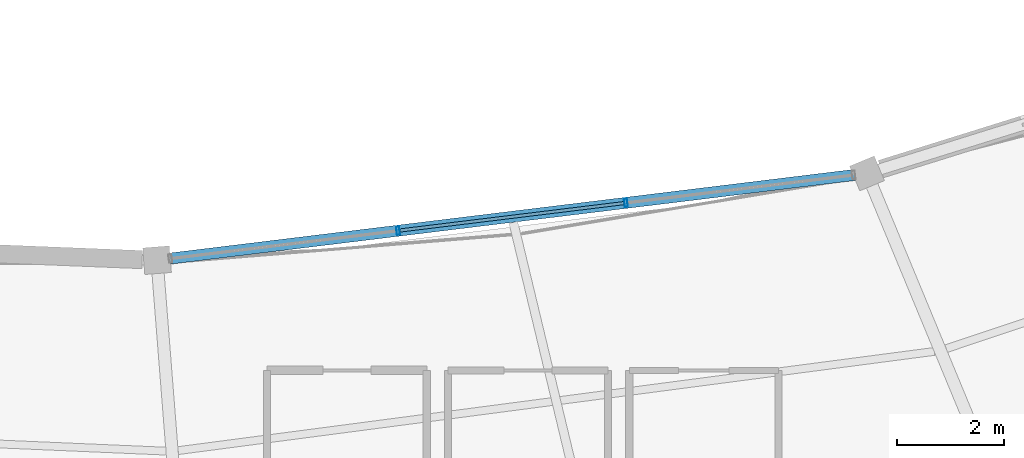
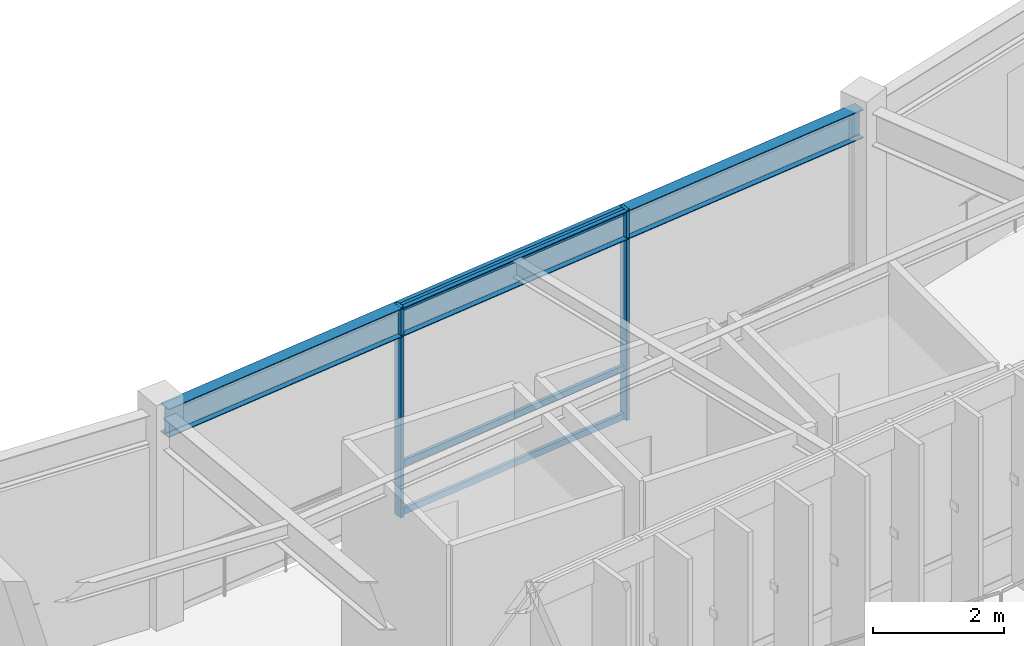
# One storey, part 21 of 79: 5 members, 1 beam, 1 element without a shape of its own.
"""IFC4 building model written with IfcOpenShell, lengths in metres."""

import ifcopenshell
import ifcopenshell.guid

model = None  # the IFC model being written
_history = None  # IfcOwnerHistory: only IFC2X3 demands one
_inside = {}  # id of a spatial element -> (the spatial element, [elements in it])
_under = {}  # id of a project, library or spatial element -> (it, [spatial elements below it])
_declared = {}  # id of a project -> (the project, [libraries it declares])
_typed = {}  # id of a type object -> (the type object, [elements of that type])
_made_of = {}  # id of a material, layer set ... -> (it, [elements and type objects made of it])


def new_model(schema):
    """Start an empty IFC model of exactly this schema.

    Asked for "IFC4X3", IfcOpenShell would pick the latest addendum, in which some entities
    have other attributes; the version numbers below select the first issue.
    IFC2X3 requires an IfcOwnerHistory on every rooted entity: one is made here for all.
    """
    global model, _history
    if schema == "IFC4X3":
        model = ifcopenshell.file(schema_version=(4, 3, 0, 0))
    else:
        model = ifcopenshell.file(schema=schema)
    _inside.clear()
    _under.clear()
    _declared.clear()
    _typed.clear()
    _made_of.clear()
    _history = None
    if model.schema == "IFC2X3":
        org = make("IfcOrganization", Name="unknown")
        user = make(
            "IfcPersonAndOrganization",
            ThePerson=make("IfcPerson", FamilyName="unknown"),
            TheOrganization=org,
        )
        app = make(
            "IfcApplication",
            ApplicationDeveloper=org,
            Version="unknown",
            ApplicationFullName="unknown",
            ApplicationIdentifier="unknown",
        )
        _history = make(
            "IfcOwnerHistory",
            OwningUser=user,
            OwningApplication=app,
            ChangeAction="ADDED",
            CreationDate=0,
        )
    return model


def make(cls, **values):
    """One entity of the class cls with the attributes given. An attribute that is None is left unset."""
    return model.create_entity(
        cls, **{name: value for name, value in values.items() if value is not None}
    )


def rooted(cls, **values):
    """An entity with a GlobalId (a new one), such as an element, a storey or a relation."""
    return make(cls, GlobalId=ifcopenshell.guid.new(), OwnerHistory=_history, **values)


def si_unit(unit_type, name, prefix=None):
    """IfcSIUnit, for example si_unit("LENGTHUNIT", "METRE", prefix="MILLI")."""
    return make("IfcSIUnit", UnitType=unit_type, Prefix=prefix, Name=name)


def assignment(units):
    """IfcUnitAssignment: the units of a project."""
    return None if units is None else make("IfcUnitAssignment", Units=units)


def point(xyz):
    """IfcCartesianPoint."""
    return None if xyz is None else make("IfcCartesianPoint", Coordinates=xyz)


def direction(xyz):
    """IfcDirection."""
    return None if xyz is None else make("IfcDirection", DirectionRatios=xyz)


def frame(location, z_axis=None, x_axis=None):
    """IfcAxis2Placement3D, a coordinate frame: its origin and axes. An axis left out is left unset."""
    return make(
        "IfcAxis2Placement3D",
        Location=point(location),
        Axis=direction(z_axis),
        RefDirection=direction(x_axis),
    )


def frame_2d(location, x_axis=None):
    """IfcAxis2Placement2D, a coordinate frame in the plane: its origin and x axis."""
    return make(
        "IfcAxis2Placement2D", Location=point(location), RefDirection=direction(x_axis)
    )


def origin():
    """The frame at (0, 0, 0) with its axes left unset."""
    return frame((0.0, 0.0, 0.0))


def origin_2d():
    """The frame at (0, 0) in the plane with its x axis left unset."""
    return frame_2d((0.0, 0.0))


def place(relative_to, where):
    """IfcLocalPlacement: puts the frame where relative to a parent placement (None: the world)."""
    return make(
        "IfcLocalPlacement", PlacementRelTo=relative_to, RelativePlacement=where
    )


def context(
    kind, dimensions, precision=None, world=None, true_north=None, identifier=None
):
    """IfcGeometricRepresentationContext, for example the 3D "Model" context."""
    return make(
        "IfcGeometricRepresentationContext",
        ContextIdentifier=identifier,
        ContextType=kind,
        CoordinateSpaceDimension=dimensions,
        Precision=precision,
        WorldCoordinateSystem=world,
        TrueNorth=true_north,
    )


def subcontext(parent, identifier, kind, view, scale=None):
    """IfcGeometricRepresentationSubContext, for example "Body" below "Model"."""
    return make(
        "IfcGeometricRepresentationSubContext",
        ContextIdentifier=identifier,
        ContextType=kind,
        ParentContext=parent,
        TargetScale=scale,
        TargetView=view,
    )


def project(units=None, contexts=None):
    """IfcProject with its units and contexts."""
    return rooted(
        "IfcProject",
        Name="project",
        RepresentationContexts=contexts,
        UnitsInContext=assignment(units),
    )


def spatial(cls, under=None, at=None, **own):
    """A site, building, storey or space (cls), placed at a placement, below another one or the project."""
    s = rooted(cls, ObjectPlacement=at, **own)
    if under is not None:
        _under.setdefault(under.id(), (under, []))[1].append(s)
    return s


def profile(cls, at=None, kind="AREA", **sizes):
    """A parametric profile (cls). Its sizes go by their IFC names, for example OverallWidth=200.0."""
    return make(cls, ProfileType=kind, Position=at, **sizes)


def hollow_rectangle(**sizes):
    """IfcRectangleHollowProfileDef."""
    return profile("IfcRectangleHollowProfileDef", **sizes)


def i_section(**sizes):
    """IfcIShapeProfileDef."""
    return profile("IfcIShapeProfileDef", **sizes)


def extrude(swept, where, along, depth):
    """IfcExtrudedAreaSolid: the profile swept, set in the frame where, extruded along a direction by depth."""
    return make(
        "IfcExtrudedAreaSolid",
        SweptArea=swept,
        Position=where,
        ExtrudedDirection=direction(along),
        Depth=depth,
    )


def shape(context_of_items, identifier, shape_type, items):
    """IfcShapeRepresentation: the items that make up one representation, for example the "Body"."""
    return make(
        "IfcShapeRepresentation",
        ContextOfItems=context_of_items,
        RepresentationIdentifier=identifier,
        RepresentationType=shape_type,
        Items=items,
    )


def material(Name=None, Category=None):
    """IfcMaterial."""
    return make("IfcMaterial", Name=Name, Category=Category)


def material_profile(
    of_material, cross_section, Name=None, Category=None, Priority=None
):
    """IfcMaterialProfile: a cross section and its material."""
    return make(
        "IfcMaterialProfile",
        Name=Name,
        Material=of_material,
        Profile=cross_section,
        Priority=Priority,
        Category=Category,
    )


def profile_set(profiles, Name=None, composite=None):
    """IfcMaterialProfileSet."""
    return make(
        "IfcMaterialProfileSet",
        Name=Name,
        MaterialProfiles=profiles,
        CompositeProfile=composite,
    )


def made_of(thing, what):
    """Note that an element or type object is made of a material, layer set ...; save() writes the relation."""
    if what is not None:
        _made_of.setdefault(what.id(), (what, []))[1].append(thing)
    return thing


def type_object(cls, material=None, **own):
    """A type object (cls), such as IfcWallType, which elements share."""
    return made_of(rooted(cls, **own), material)


def element(
    cls,
    number,
    at=None,
    inside=None,
    cuts=None,
    type_object=None,
    material=None,
    context=None,
    identifier="Body",
    shape_type=None,
    held_by="IfcProductDefinitionShape",
    body=None,
    shapes=None,
    **own,
):
    """One element of the class cls, such as IfcWall. Its Tag is "e" and its number.

    at: its placement. inside: the storey or other place that contains it. cuts: it is an
    opening in that element (IfcRelVoidsElement). A single representation is given by context,
    identifier, shape_type and body (its items); several are given by shapes. held_by: the class
    of the entity that holds the representations. save() writes the other relations.
    """
    e = rooted(cls, Tag="e%d" % number, ObjectPlacement=at, **own)
    if body is not None:
        shapes = [shape(context, identifier, shape_type, body)]
    if shapes is not None:
        e.Representation = make(held_by, Representations=shapes)
    if inside is not None:
        _inside.setdefault(inside.id(), (inside, []))[1].append(e)
    if cuts is not None:
        rooted(
            "IfcRelVoidsElement", RelatingBuildingElement=cuts, RelatedOpeningElement=e
        )
    if type_object is not None:
        _typed.setdefault(type_object.id(), (type_object, []))[1].append(e)
    return made_of(e, material)


def aggregate(whole, parts):
    """IfcRelAggregates: a whole, such as a stair, and the parts it consists of."""
    return rooted("IfcRelAggregates", RelatingObject=whole, RelatedObjects=parts)


def save(model, path):
    """Write the relations noted so far, then the file.

    IfcRelAggregates (storeys below a building ...), IfcRelContainedInSpatialStructure (elements
    in a storey), IfcRelDefinesByType, IfcRelAssociatesMaterial and IfcRelDeclares: one each for
    every whole, place, type object, material and project.
    """
    for whole, parts in _under.values():
        aggregate(whole, parts)
    for where, things in _inside.values():
        rooted(
            "IfcRelContainedInSpatialStructure",
            RelatedElements=things,
            RelatingStructure=where,
        )
    for kind, things in _typed.values():
        rooted("IfcRelDefinesByType", RelatedObjects=things, RelatingType=kind)
    for what, things in _made_of.values():
        rooted("IfcRelAssociatesMaterial", RelatedObjects=things, RelatingMaterial=what)
    for by, libraries in _declared.values():
        rooted("IfcRelDeclares", RelatingContext=by, RelatedDefinitions=libraries)
    model.write(path)


model = new_model("IFC4")

# Units and contexts
model_context = context("Model", 3, precision=1e-05, world=origin(), true_north=direction((0.0, 1.0)))
body_context = subcontext(model_context, "Body", "Model", "MODEL_VIEW")
ifc_project = project(units=[si_unit("LENGTHUNIT", "METRE"), si_unit("AREAUNIT", "SQUARE_METRE"), si_unit("VOLUMEUNIT", "CUBIC_METRE"), si_unit("PLANEANGLEUNIT", "RADIAN"), si_unit("MASSUNIT", "GRAM", prefix="KILO"), si_unit("THERMODYNAMICTEMPERATUREUNIT", "KELVIN"), si_unit("POWERUNIT", "WATT")], contexts=[model_context])

# Site, building, storey
site_placement = place(None, origin())
site = spatial("IfcSite", under=ifc_project, at=site_placement, CompositionType="ELEMENT")
building_placement = place(site_placement, origin())
building = spatial("IfcBuilding", under=site, at=building_placement, Name="Darbajah Civic Hall", CompositionType="ELEMENT")
storey_placement = place(building_placement, frame((0.0, 0.0, 22.199951171875)))
storey = spatial("IfcBuildingStorey", under=building, at=storey_placement, Name="L05", CompositionType="ELEMENT", Elevation=22.199951171875)

# Curtain wall, members
ifc_material_1 = material(Name="Anodised Bronze Aluminium and Low-E Glazing", Category="aluminium")
curtain_wall_type = type_object("IfcCurtainWallType", Name="Unitised Curtain Wall CW-73 12900x3900", PredefinedType="USERDEFINED", material=ifc_material_1)
curtain_wall_placement = place(storey_placement, origin())
curtain_wall = element("IfcCurtainWall", 1, at=curtain_wall_placement, inside=storey, type_object=curtain_wall_type, Name="L05 unitised curtain wall CW-V1I-L05-15", ObjectType="UNITISED CURTAIN WALL", PredefinedType="USERDEFINED")
ifc_material_2 = material(Name="Anodised Bronze Aluminium", Category="aluminium")
ifc_material_profile_1 = material_profile(ifc_material_2, hollow_rectangle(XDim=0.06005859375, YDim=0.159912109375, WallThickness=0.00341796875, at=origin_2d()), Name="ALU MULLION 60x160")
ifc_profile_set_1 = profile_set([ifc_material_profile_1], Name="Anodised Bronze Aluminium")
member_type_1 = type_object("IfcMemberType", Name="ALU MULLION 60x160", PredefinedType="MULLION", material=ifc_profile_set_1)
member_1_placement = place(storey_placement, frame((97.0615234375, 68.121826171875, 0.0), z_axis=(0.0, 0.0, 1.0), x_axis=(0.992609826221, 0.121349630774, 0.0)))
member_1 = element("IfcMember", 2, at=member_1_placement, type_object=member_type_1, Name="CW-V1I-L05-15 mullion 2", PredefinedType="MULLION", context=body_context, shape_type="SweptSolid", body=[
    extrude(hollow_rectangle(XDim=0.06005859375, YDim=0.159912109375, WallThickness=0.00341796875, at=origin_2d()), origin(), (0.0, 0.0, 1.0), 3.920166015625),
])
member_2_placement = place(storey_placement, frame((101.33642578125, 68.644287109375, 0.0), z_axis=(0.0, 0.0, 1.0), x_axis=(0.992609826221, 0.121349630774, 0.0)))
member_2 = element("IfcMember", 3, at=member_2_placement, type_object=member_type_1, Name="CW-V1I-L05-15 mullion 3", PredefinedType="MULLION", context=body_context, shape_type="SweptSolid", body=[
    extrude(hollow_rectangle(XDim=0.06005859375, YDim=0.159912109375, WallThickness=0.00341796875, at=origin_2d()), origin(), (0.0, 0.0, 1.0), 3.920166015625),
])
ifc_material_profile_2 = material_profile(ifc_material_2, hollow_rectangle(XDim=0.06005859375, YDim=0.1201171875, WallThickness=0.003173828125, at=origin_2d()), Name="ALU TRANSOM 60x120")
ifc_profile_set_2 = profile_set([ifc_material_profile_2], Name="Anodised Bronze Aluminium")
member_type_2 = type_object("IfcMemberType", Name="ALU TRANSOM 60x120", PredefinedType="USERDEFINED", material=ifc_profile_set_2)
member_3_placement = place(storey_placement, frame((97.09619140625, 68.126220703125, 0.06005859375), z_axis=(0.992616293306, 0.121296719924, 0.0), x_axis=(-0.121296719924, 0.992616293306, 0.0)))
member_3 = element("IfcMember", 4, at=member_3_placement, type_object=member_type_2, Name="CW-V1I-L05-15 transom 2.1", ObjectType="TRANSOM", PredefinedType="USERDEFINED", context=body_context, shape_type="SweptSolid", body=[
    extrude(hollow_rectangle(XDim=0.06005859375, YDim=0.1201171875, WallThickness=0.003173828125, at=origin_2d()), origin(), (0.0, 0.0, 1.0), 4.23681640625),
])
member_4_placement = place(storey_placement, frame((97.09619140625, 68.126220703125, 0.949951171875), z_axis=(0.992616293306, 0.121296719924, 0.0), x_axis=(-0.121296719924, 0.992616293306, 0.0)))
member_4 = element("IfcMember", 5, at=member_4_placement, type_object=member_type_2, Name="CW-V1I-L05-15 transom 2.2", ObjectType="TRANSOM", PredefinedType="USERDEFINED", context=body_context, shape_type="SweptSolid", body=[
    extrude(hollow_rectangle(XDim=0.06005859375, YDim=0.1201171875, WallThickness=0.003173828125, at=origin_2d()), origin(), (0.0, 0.0, 1.0), 4.23681640625),
])
member_5_placement = place(storey_placement, frame((97.09619140625, 68.126220703125, 3.860107421875), z_axis=(0.992616293306, 0.121296719924, 0.0), x_axis=(-0.121296719924, 0.992616293306, 0.0)))
member_5 = element("IfcMember", 6, at=member_5_placement, type_object=member_type_2, Name="CW-V1I-L05-15 transom 2.3", ObjectType="TRANSOM", PredefinedType="USERDEFINED", context=body_context, shape_type="SweptSolid", body=[
    extrude(hollow_rectangle(XDim=0.06005859375, YDim=0.1201171875, WallThickness=0.003173828125, at=origin_2d()), origin(), (0.0, 0.0, 1.0), 4.23681640625),
])
aggregate(curtain_wall, [member_1, member_2, member_3, member_4, member_5])

# Beam
ifc_material_3 = material(Name="Steel S355JR", Category="steel")
ifc_material_profile_3 = material_profile(ifc_material_3, i_section(OverallWidth=0.209228515625, OverallDepth=0.533203125, WebThickness=0.010009765625, FlangeThickness=0.015625, FilletRadius=0.0126953125, at=origin_2d()), Name="UB 533x210x92")
ifc_profile_set_3 = profile_set([ifc_material_profile_3], Name="Steel S355JR")
beam_type = type_object("IfcBeamType", Name="UB 533x210x92", PredefinedType="BEAM", material=ifc_profile_set_3)
beam_placement = place(storey_placement, frame((92.615966796875, 67.578369140625, 3.653564453125), z_axis=(0.992611744559, 0.121333938216, 0.0), x_axis=(-0.121333938216, 0.992611744559, 0.0)))
element("IfcBeam", 7, at=beam_placement, inside=storey, type_object=beam_type, Name="L05 beam SB-533", PredefinedType="BEAM", context=body_context, shape_type="SweptSolid", body=[
    extrude(i_section(OverallWidth=0.209228515625, OverallDepth=0.533203125, WebThickness=0.010009765625, FlangeThickness=0.015625, FilletRadius=0.0126953125, at=origin_2d()), origin(), (0.0, 0.0, 1.0), 13.263916015625),
])

save(model, "model.ifc")
